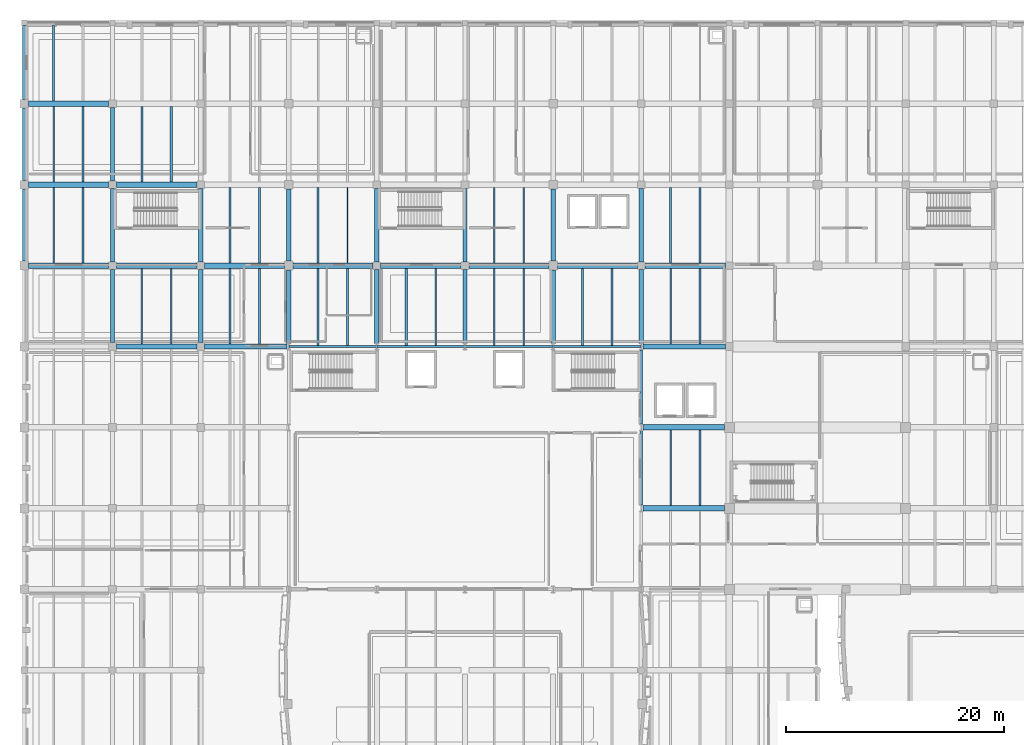
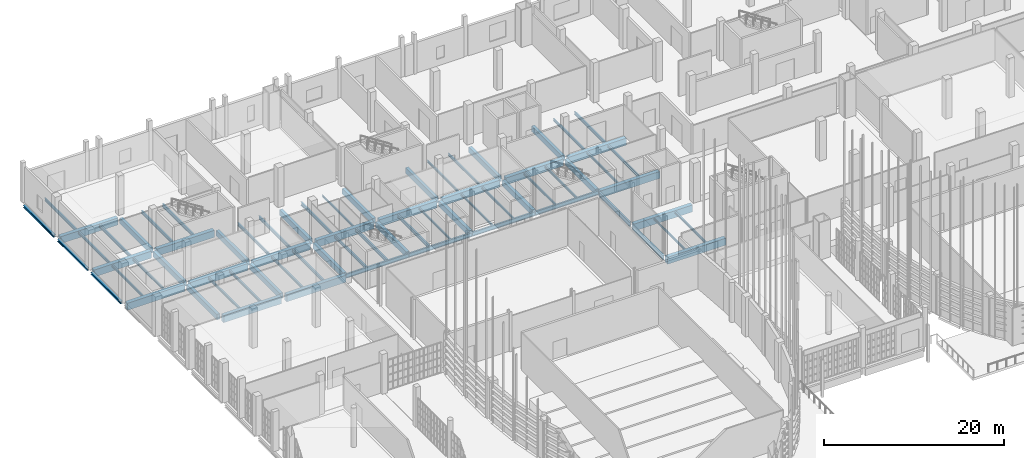
# One storey, part 247 of 372: 71 beams.
"""IFC4 building model written with IfcOpenShell, lengths in metres."""

from ifc_helpers import new_model, si_unit, direction, frame, origin, origin_2d, place, context, subcontext, project, spatial, rectangle, i_section, extrude, material, material_profile, profile_set, type_object, element, save


model = new_model("IFC4")

# Units and contexts
model_context = context("Model", 3, precision=1e-05, world=origin(), true_north=direction((0.0, 1.0)))
body_context = subcontext(model_context, "Body", "Model", "MODEL_VIEW")
ifc_project = project(units=[si_unit("LENGTHUNIT", "METRE"), si_unit("AREAUNIT", "SQUARE_METRE"), si_unit("VOLUMEUNIT", "CUBIC_METRE"), si_unit("PLANEANGLEUNIT", "RADIAN"), si_unit("MASSUNIT", "GRAM", prefix="KILO")], contexts=[model_context])

# Site, building, storey
site_placement = place(None, origin())
site = spatial("IfcSite", under=ifc_project, at=site_placement, CompositionType="ELEMENT")
building_placement = place(site_placement, origin())
building = spatial("IfcBuilding", under=site, at=building_placement, Name="Kaelora Sail Theatre", CompositionType="ELEMENT")
storey_placement = place(building_placement, origin())
storey = spatial("IfcBuildingStorey", under=building, at=storey_placement, Name="L00", CompositionType="ELEMENT", Elevation=0.0)

# Beams
ifc_material_1 = material(Name="Steel S355", Category="steel")
ifc_material_profile_1 = material_profile(ifc_material_1, i_section(OverallWidth=0.18994140625, OverallDepth=0.449951171875, WebThickness=0.009521484375, FlangeThickness=0.0146484375, FilletRadius=0.02099609375, at=origin_2d()), Name="IPE 450")
ifc_profile_set_1 = profile_set([ifc_material_profile_1], Name="Steel S355")
beam_type_1 = type_object("IfcBeamType", Name="STR-BM-BM-IPE450", PredefinedType="BEAM", material=ifc_profile_set_1)
for number, where, z_axis, x_axis, name in (
    (1, (15.0, 98.469970703125, -0.544921875), (0.0, 1.0, 0.0), (-1.0, 0.0, 0.0), "Secondary floor joist 2/N-2 (L00)"),
    (2, (23.10009765625, 91.030029296875, -0.544921875), (0.0, 1.0, 0.0), (-1.0, 0.0, 0.0), "Secondary floor joist 3/M-2 (L00)"),
):
    element("IfcBeam", number, at=place(storey_placement, frame(where, z_axis=z_axis, x_axis=x_axis)), inside=storey, type_object=beam_type_1, Name=name, PredefinedType="BEAM", context=body_context, shape_type="SweptSolid", body=[
        extrude(i_section(OverallWidth=0.18994140625, OverallDepth=0.449951171875, WebThickness=0.009521484375, FlangeThickness=0.0146484375, FilletRadius=0.02099609375, at=origin_2d()), origin(), (0.0, 0.0, 1.0), 6.93994140625),
    ])
beam_1_placement = place(storey_placement, frame((31.199951171875, 83.445068359375, -0.544921875), z_axis=(0.0, 1.0, 0.0), x_axis=(-1.0, 0.0, 0.0)))
element("IfcBeam", 3, at=beam_1_placement, inside=storey, type_object=beam_type_1, Name="Secondary floor joist 4/L-2 (L00)", PredefinedType="BEAM", context=body_context, shape_type="SweptSolid", body=[
    extrude(i_section(OverallWidth=0.18994140625, OverallDepth=0.449951171875, WebThickness=0.009521484375, FlangeThickness=0.0146484375, FilletRadius=0.02099609375, at=origin_2d()), origin(), (0.0, 0.0, 1.0), 7.0849609375),
])
beam_2_placement = place(storey_placement, frame((28.5, 91.030029296875, -0.544921875), z_axis=(0.0, 1.0, 0.0), x_axis=(-1.0, 0.0, 0.0)))
element("IfcBeam", 4, at=beam_2_placement, inside=storey, type_object=beam_type_1, Name="Secondary floor joist 4/M-1 (L00)", PredefinedType="BEAM", context=body_context, shape_type="SweptSolid", body=[
    extrude(i_section(OverallWidth=0.18994140625, OverallDepth=0.449951171875, WebThickness=0.009521484375, FlangeThickness=0.0146484375, FilletRadius=0.02099609375, at=origin_2d()), origin(), (0.0, 0.0, 1.0), 6.93994140625),
])
beam_3_placement = place(storey_placement, frame((36.60009765625, 83.445068359375, -0.544921875), z_axis=(0.0, 1.0, 0.0), x_axis=(-1.0, 0.0, 0.0)))
element("IfcBeam", 5, at=beam_3_placement, inside=storey, type_object=beam_type_1, Name="Secondary floor joist 5/L-1 (L00)", PredefinedType="BEAM", context=body_context, shape_type="SweptSolid", body=[
    extrude(i_section(OverallWidth=0.18994140625, OverallDepth=0.449951171875, WebThickness=0.009521484375, FlangeThickness=0.0146484375, FilletRadius=0.02099609375, at=origin_2d()), origin(), (0.0, 0.0, 1.0), 7.0849609375),
])
ifc_material_2 = material(Name="Steel S355", Category="steel")
ifc_material_profile_2 = material_profile(ifc_material_2, i_section(OverallWidth=0.2099609375, OverallDepth=0.550048828125, WebThickness=0.010986328125, FlangeThickness=0.01708984375, FilletRadius=0.02392578125, at=origin_2d()), Name="IPE 550")
ifc_profile_set_2 = profile_set([ifc_material_profile_2], Name="Steel S355")
beam_type_2 = type_object("IfcBeamType", Name="STR-BM-BM-IPE550", PredefinedType="USERDEFINED", material=ifc_profile_set_2)
for number, where, z_axis, x_axis, name in (
    (6, (25.80908203125, 83.340087890625, -0.594970703125), (1.0, 0.0, 0.0), (0.0, 1.0, 0.0), "Primary beam L 4-5 (L00)"),
    (7, (33.908935546875, 83.340087890625, -0.594970703125), (1.0, 0.0, 0.0), (0.0, 1.0, 0.0), "Primary beam L 5-6 (L00)"),
    (8, (42.009033203125, 83.340087890625, -0.594970703125), (1.0, 0.0, 0.0), (0.0, 1.0, 0.0), "Primary beam L 6-7 (L00)"),
    (9, (50.10888671875, 83.340087890625, -0.594970703125), (1.0, 0.0, 0.0), (0.0, 1.0, 0.0), "Primary beam L 7-8 (L00)"),
):
    element("IfcBeam", number, at=place(storey_placement, frame(where, z_axis=z_axis, x_axis=x_axis)), inside=storey, type_object=beam_type_2, Name=name, ObjectType="GIRDER", PredefinedType="USERDEFINED", context=body_context, shape_type="SweptSolid", body=[
        extrude(i_section(OverallWidth=0.2099609375, OverallDepth=0.550048828125, WebThickness=0.010986328125, FlangeThickness=0.01708984375, FilletRadius=0.02392578125, at=origin_2d()), origin(), (0.0, 0.0, 1.0), 8.08203125),
    ])
ifc_material_3 = material(Name="Steel S355", Category="steel")
ifc_material_profile_3 = material_profile(ifc_material_3, i_section(OverallWidth=0.219970703125, OverallDepth=0.60009765625, WebThickness=0.011962890625, FlangeThickness=0.01904296875, FilletRadius=0.02392578125, at=origin_2d()), Name="IPE 600")
ifc_profile_set_3 = profile_set([ifc_material_profile_3], Name="Steel S355")
beam_type_3 = type_object("IfcBeamType", Name="STR-BM-BM-IPE600", PredefinedType="USERDEFINED", material=ifc_profile_set_3)
for number, where, z_axis, x_axis, name in (
    (10, (58.199951171875, 68.760009765625, -0.6201171875), (0.0, 1.0, 0.0), (-1.0, 0.0, 0.0), "Primary beam 8 J-K (L00)"),
    (11, (58.199951171875, 76.199951171875, -0.6201171875), (0.0, 1.0, 0.0), (-1.0, 0.0, 0.0), "Primary beam 8 K-L (L00)"),
):
    element("IfcBeam", number, at=place(storey_placement, frame(where, z_axis=z_axis, x_axis=x_axis)), inside=storey, type_object=beam_type_3, Name=name, ObjectType="GIRDER", PredefinedType="USERDEFINED", context=body_context, shape_type="SweptSolid", body=[
        extrude(i_section(OverallWidth=0.219970703125, OverallDepth=0.60009765625, WebThickness=0.011962890625, FlangeThickness=0.01904296875, FilletRadius=0.02392578125, at=origin_2d()), origin(), (0.0, 0.0, 1.0), 6.840087890625),
    ])
ifc_material_4 = material(Name="Concrete C40/50", Category="concrete")
ifc_material_profile_4 = material_profile(ifc_material_4, rectangle(XDim=0.39990234375, YDim=0.75, at=origin_2d()), Name="RC-BM 400x750")
ifc_profile_set_4 = profile_set([ifc_material_profile_4], Name="Concrete C40/50")
beam_type_4 = type_object("IfcBeamType", Name="STR-BM-BM-RC4075", PredefinedType="BEAM", material=ifc_profile_set_4)
beam_4_placement = place(storey_placement, frame((9.60009765625, 83.68994140625, -0.695068359375), z_axis=(0.0, 1.0, 0.0), x_axis=(-1.0, 0.0, 0.0)))
element("IfcBeam", 12, at=beam_4_placement, inside=storey, type_object=beam_type_4, Name="Primary beam 2 L-M (L00)", PredefinedType="BEAM", context=body_context, shape_type="SweptSolid", body=[
    extrude(rectangle(XDim=0.39990234375, YDim=0.75, at=origin_2d()), origin(), (0.0, 0.0, 1.0), 6.739990234375),
])
beam_5_placement = place(storey_placement, frame((9.60009765625, 91.1298828125, -0.695068359375), z_axis=(0.0, 1.0, 0.0), x_axis=(-1.0, 0.0, 0.0)))
element("IfcBeam", 13, at=beam_5_placement, inside=storey, type_object=beam_type_4, Name="Primary beam 2 M-N (L00)", PredefinedType="BEAM", context=body_context, shape_type="SweptSolid", body=[
    extrude(rectangle(XDim=0.39990234375, YDim=0.75, at=origin_2d()), origin(), (0.0, 0.0, 1.0), 6.740234375),
])
for number, where, z_axis, x_axis, name in (
    (14, (9.60009765625, 98.570068359375, -0.695068359375), (0.0, 1.0, 0.0), (-1.0, 0.0, 0.0), "Primary beam 2 N-O (L00)"),
    (15, (17.699951171875, 83.68994140625, -0.695068359375), (0.0, 1.0, 0.0), (-1.0, 0.0, 0.0), "Primary beam 3 L-M (L00)"),
):
    element("IfcBeam", number, at=place(storey_placement, frame(where, z_axis=z_axis, x_axis=x_axis)), inside=storey, type_object=beam_type_4, Name=name, PredefinedType="BEAM", context=body_context, shape_type="SweptSolid", body=[
        extrude(rectangle(XDim=0.39990234375, YDim=0.75, at=origin_2d()), origin(), (0.0, 0.0, 1.0), 6.739990234375),
    ])
beam_6_placement = place(storey_placement, frame((17.699951171875, 91.1298828125, -0.695068359375), z_axis=(0.0, 1.0, 0.0), x_axis=(-1.0, 0.0, 0.0)))
element("IfcBeam", 16, at=beam_6_placement, inside=storey, type_object=beam_type_4, Name="Primary beam 3 M-N (L00)", PredefinedType="BEAM", context=body_context, shape_type="SweptSolid", body=[
    extrude(rectangle(XDim=0.39990234375, YDim=0.75, at=origin_2d()), origin(), (0.0, 0.0, 1.0), 6.740234375),
])
beam_7_placement = place(storey_placement, frame((25.800048828125, 83.639892578125, -0.695068359375), z_axis=(0.0, 1.0, 0.0), x_axis=(-1.0, 0.0, 0.0)))
element("IfcBeam", 17, at=beam_7_placement, inside=storey, type_object=beam_type_4, Name="Primary beam 4 L-M (L00)", PredefinedType="BEAM", context=body_context, shape_type="SweptSolid", body=[
    extrude(rectangle(XDim=0.39990234375, YDim=0.75, at=origin_2d()), origin(), (0.0, 0.0, 1.0), 6.739990234375),
])
beam_8_placement = place(storey_placement, frame((25.800048828125, 91.179931640625, -0.695068359375), z_axis=(0.0, 1.0, 0.0), x_axis=(-1.0, 0.0, 0.0)))
element("IfcBeam", 18, at=beam_8_placement, inside=storey, type_object=beam_type_4, Name="Primary beam 4 M-N (L00)", PredefinedType="BEAM", context=body_context, shape_type="SweptSolid", body=[
    extrude(rectangle(XDim=0.39990234375, YDim=0.75, at=origin_2d()), origin(), (0.0, 0.0, 1.0), 6.64013671875),
])
beam_9_placement = place(storey_placement, frame((33.89990234375, 83.639892578125, -0.695068359375), z_axis=(0.0, 1.0, 0.0), x_axis=(-1.0, 0.0, 0.0)))
element("IfcBeam", 19, at=beam_9_placement, inside=storey, type_object=beam_type_4, Name="Primary beam 5 L-M (L00)", PredefinedType="BEAM", context=body_context, shape_type="SweptSolid", body=[
    extrude(rectangle(XDim=0.39990234375, YDim=0.75, at=origin_2d()), origin(), (0.0, 0.0, 1.0), 6.7900390625),
])
beam_10_placement = place(storey_placement, frame((33.89990234375, 91.1298828125, -0.695068359375), z_axis=(0.0, 1.0, 0.0), x_axis=(-1.0, 0.0, 0.0)))
element("IfcBeam", 20, at=beam_10_placement, inside=storey, type_object=beam_type_4, Name="Primary beam 5 M-N (L00)", PredefinedType="BEAM", context=body_context, shape_type="SweptSolid", body=[
    extrude(rectangle(XDim=0.39990234375, YDim=0.75, at=origin_2d()), origin(), (0.0, 0.0, 1.0), 6.740234375),
])
beam_11_placement = place(storey_placement, frame((42.0, 83.639892578125, -0.695068359375), z_axis=(0.0, 1.0, 0.0), x_axis=(-1.0, 0.0, 0.0)))
element("IfcBeam", 21, at=beam_11_placement, inside=storey, type_object=beam_type_4, Name="Primary beam 6 L-M (L00)", PredefinedType="BEAM", context=body_context, shape_type="SweptSolid", body=[
    extrude(rectangle(XDim=0.39990234375, YDim=0.75, at=origin_2d()), origin(), (0.0, 0.0, 1.0), 6.7900390625),
])
beam_12_placement = place(storey_placement, frame((42.0, 91.1298828125, -0.695068359375), z_axis=(0.0, 1.0, 0.0), x_axis=(-1.0, 0.0, 0.0)))
element("IfcBeam", 22, at=beam_12_placement, inside=storey, type_object=beam_type_4, Name="Primary beam 6 M-N (L00)", PredefinedType="BEAM", context=body_context, shape_type="SweptSolid", body=[
    extrude(rectangle(XDim=0.39990234375, YDim=0.75, at=origin_2d()), origin(), (0.0, 0.0, 1.0), 6.740234375),
])
beam_13_placement = place(storey_placement, frame((50.10009765625, 83.639892578125, -0.695068359375), z_axis=(0.0, 1.0, 0.0), x_axis=(-1.0, 0.0, 0.0)))
element("IfcBeam", 23, at=beam_13_placement, inside=storey, type_object=beam_type_4, Name="Primary beam 7 L-M (L00)", PredefinedType="BEAM", context=body_context, shape_type="SweptSolid", body=[
    extrude(rectangle(XDim=0.39990234375, YDim=0.75, at=origin_2d()), origin(), (0.0, 0.0, 1.0), 6.739990234375),
])
beam_14_placement = place(storey_placement, frame((50.10009765625, 91.179931640625, -0.695068359375), z_axis=(0.0, 1.0, 0.0), x_axis=(-1.0, 0.0, 0.0)))
element("IfcBeam", 24, at=beam_14_placement, inside=storey, type_object=beam_type_4, Name="Primary beam 7 M-N (L00)", PredefinedType="BEAM", context=body_context, shape_type="SweptSolid", body=[
    extrude(rectangle(XDim=0.39990234375, YDim=0.75, at=origin_2d()), origin(), (0.0, 0.0, 1.0), 6.64013671875),
])
beam_15_placement = place(storey_placement, frame((58.199951171875, 83.639892578125, -0.695068359375), z_axis=(0.0, 1.0, 0.0), x_axis=(-1.0, 0.0, 0.0)))
element("IfcBeam", 25, at=beam_15_placement, inside=storey, type_object=beam_type_4, Name="Primary beam 8 L-M (L00)", PredefinedType="BEAM", context=body_context, shape_type="SweptSolid", body=[
    extrude(rectangle(XDim=0.39990234375, YDim=0.75, at=origin_2d()), origin(), (0.0, 0.0, 1.0), 6.7900390625),
])
beam_16_placement = place(storey_placement, frame((58.199951171875, 91.1298828125, -0.695068359375), z_axis=(0.0, 1.0, 0.0), x_axis=(-1.0, 0.0, 0.0)))
element("IfcBeam", 26, at=beam_16_placement, inside=storey, type_object=beam_type_4, Name="Primary beam 8 M-N (L00)", PredefinedType="BEAM", context=body_context, shape_type="SweptSolid", body=[
    extrude(rectangle(XDim=0.39990234375, YDim=0.75, at=origin_2d()), origin(), (0.0, 0.0, 1.0), 6.740234375),
])
ifc_material_5 = material(Name="Concrete C45/55", Category="concrete")
ifc_material_profile_5 = material_profile(ifc_material_5, rectangle(XDim=0.5, YDim=0.949951171875, at=origin_2d()), Name="RC-GRD 500x950")
ifc_profile_set_5 = profile_set([ifc_material_profile_5], Name="Concrete C45/55")
beam_type_5 = type_object("IfcBeamType", Name="STR-BM-GR-RC5095", PredefinedType="T_BEAM", material=ifc_profile_set_5)
for number, where, z_axis, x_axis, name in (
    (27, (1.89990234375, 90.780029296875, -0.794921875), (1.0, 0.0, 0.0), (0.0, 1.0, 0.0), "Primary beam M 1-2 (L00)"),
    (28, (1.89990234375, 98.219970703125, -0.794921875), (1.0, 0.0, 0.0), (0.0, 1.0, 0.0), "Primary beam N 1-2 (L00)"),
    (29, (1.89990234375, 105.659912109375, -0.794921875), (1.0, 0.0, 0.0), (0.0, 1.0, 0.0), "Primary beam O 1-2 (L00)"),
):
    element("IfcBeam", number, at=place(storey_placement, frame(where, z_axis=z_axis, x_axis=x_axis)), inside=storey, type_object=beam_type_5, Name=name, PredefinedType="T_BEAM", context=body_context, shape_type="SweptSolid", body=[
        extrude(rectangle(XDim=0.5, YDim=0.949951171875, at=origin_2d()), origin(), (0.0, 0.0, 1.0), 7.35009765625),
    ])
for number, where, z_axis, x_axis, name in (
    (30, (9.949951171875, 83.340087890625, -0.794921875), (1.0, 0.0, 0.0), (0.0, 1.0, 0.0), "Primary beam L 2-3 (L00)"),
    (31, (9.949951171875, 90.780029296875, -0.794921875), (1.0, 0.0, 0.0), (0.0, 1.0, 0.0), "Primary beam M 2-3 (L00)"),
    (32, (9.949951171875, 98.219970703125, -0.794921875), (1.0, 0.0, 0.0), (0.0, 1.0, 0.0), "Primary beam N 2-3 (L00)"),
):
    element("IfcBeam", number, at=place(storey_placement, frame(where, z_axis=z_axis, x_axis=x_axis)), inside=storey, type_object=beam_type_5, Name=name, PredefinedType="T_BEAM", context=body_context, shape_type="SweptSolid", body=[
        extrude(rectangle(XDim=0.5, YDim=0.949951171875, at=origin_2d()), origin(), (0.0, 0.0, 1.0), 7.400146484375),
    ])
beam_17_placement = place(storey_placement, frame((18.050048828125, 83.340087890625, -0.794921875), z_axis=(1.0, 0.0, 0.0), x_axis=(0.0, 1.0, 0.0)))
element("IfcBeam", 33, at=beam_17_placement, inside=storey, type_object=beam_type_5, Name="Primary beam L 3-4 (L00)", PredefinedType="T_BEAM", context=body_context, shape_type="SweptSolid", body=[
    extrude(rectangle(XDim=0.5, YDim=0.949951171875, at=origin_2d()), origin(), (0.0, 0.0, 1.0), 7.599853515625),
])
beam_18_placement = place(storey_placement, frame((18.050048828125, 90.780029296875, -0.794921875), z_axis=(1.0, 0.0, 0.0), x_axis=(0.0, 1.0, 0.0)))
element("IfcBeam", 34, at=beam_18_placement, inside=storey, type_object=beam_type_5, Name="Primary beam M 3-4 (L00)", PredefinedType="T_BEAM", context=body_context, shape_type="SweptSolid", body=[
    extrude(rectangle(XDim=0.5, YDim=0.949951171875, at=origin_2d()), origin(), (0.0, 0.0, 1.0), 7.349853515625),
])
beam_19_placement = place(storey_placement, frame((26.199951171875, 90.780029296875, -0.794921875), z_axis=(1.0, 0.0, 0.0), x_axis=(0.0, 1.0, 0.0)))
element("IfcBeam", 35, at=beam_19_placement, inside=storey, type_object=beam_type_5, Name="Primary beam M 4-5 (L00)", PredefinedType="T_BEAM", context=body_context, shape_type="SweptSolid", body=[
    extrude(rectangle(XDim=0.5, YDim=0.949951171875, at=origin_2d()), origin(), (0.0, 0.0, 1.0), 7.35009765625),
])
beam_20_placement = place(storey_placement, frame((34.25, 90.780029296875, -0.794921875), z_axis=(1.0, 0.0, 0.0), x_axis=(0.0, 1.0, 0.0)))
element("IfcBeam", 36, at=beam_20_placement, inside=storey, type_object=beam_type_5, Name="Primary beam M 5-6 (L00)", PredefinedType="T_BEAM", context=body_context, shape_type="SweptSolid", body=[
    extrude(rectangle(XDim=0.5, YDim=0.949951171875, at=origin_2d()), origin(), (0.0, 0.0, 1.0), 7.39990234375),
])
beam_21_placement = place(storey_placement, frame((42.35009765625, 90.780029296875, -0.794921875), z_axis=(1.0, 0.0, 0.0), x_axis=(0.0, 1.0, 0.0)))
element("IfcBeam", 37, at=beam_21_placement, inside=storey, type_object=beam_type_5, Name="Primary beam M 6-7 (L00)", PredefinedType="T_BEAM", context=body_context, shape_type="SweptSolid", body=[
    extrude(rectangle(XDim=0.5, YDim=0.949951171875, at=origin_2d()), origin(), (0.0, 0.0, 1.0), 7.349853515625),
])
beam_22_placement = place(storey_placement, frame((50.5, 90.780029296875, -0.794921875), z_axis=(1.0, 0.0, 0.0), x_axis=(0.0, 1.0, 0.0)))
element("IfcBeam", 38, at=beam_22_placement, inside=storey, type_object=beam_type_5, Name="Primary beam M 7-8 (L00)", PredefinedType="T_BEAM", context=body_context, shape_type="SweptSolid", body=[
    extrude(rectangle(XDim=0.5, YDim=0.949951171875, at=origin_2d()), origin(), (0.0, 0.0, 1.0), 7.35009765625),
])
for number, where, z_axis, x_axis, name in (
    (39, (58.35009765625, 68.4599609375, -0.794921875), (1.0, 0.0, 0.0), (0.0, 1.0, 0.0), "Primary beam J 8-9 (L00)"),
    (40, (58.35009765625, 75.89990234375, -0.794921875), (1.0, 0.0, 0.0), (0.0, 1.0, 0.0), "Primary beam K 8-9 (L00)"),
):
    element("IfcBeam", number, at=place(storey_placement, frame(where, z_axis=z_axis, x_axis=x_axis)), inside=storey, type_object=beam_type_5, Name=name, PredefinedType="T_BEAM", context=body_context, shape_type="SweptSolid", body=[
        extrude(rectangle(XDim=0.5, YDim=0.949951171875, at=origin_2d()), origin(), (0.0, 0.0, 1.0), 7.5),
    ])
beam_23_placement = place(storey_placement, frame((58.35009765625, 83.340087890625, -0.794921875), z_axis=(1.0, 0.0, 0.0), x_axis=(0.0, 1.0, 0.0)))
element("IfcBeam", 41, at=beam_23_placement, inside=storey, type_object=beam_type_5, Name="Primary beam L 8-9 (L00)", PredefinedType="T_BEAM", context=body_context, shape_type="SweptSolid", body=[
    extrude(rectangle(XDim=0.5, YDim=0.949951171875, at=origin_2d()), origin(), (0.0, 0.0, 1.0), 7.599853515625),
])
beam_24_placement = place(storey_placement, frame((58.550048828125, 90.780029296875, -0.794921875), z_axis=(1.0, 0.0, 0.0), x_axis=(0.0, 1.0, 0.0)))
element("IfcBeam", 42, at=beam_24_placement, inside=storey, type_object=beam_type_5, Name="Primary beam M 8-9 (L00)", PredefinedType="T_BEAM", context=body_context, shape_type="SweptSolid", body=[
    extrude(rectangle(XDim=0.5, YDim=0.949951171875, at=origin_2d()), origin(), (0.0, 0.0, 1.0), 7.39990234375),
])
ifc_material_6 = material(Name="Steel S355", Category="steel")
ifc_material_profile_6 = material_profile(ifc_material_6, i_section(OverallWidth=0.135009765625, OverallDepth=0.27001953125, WebThickness=0.006591796875, FlangeThickness=0.01025390625, FilletRadius=0.014892578125, at=origin_2d()), Name="IPE 270")
ifc_profile_set_6 = profile_set([ifc_material_profile_6], Name="Steel S355")
beam_type_6 = type_object("IfcBeamType", Name="STR-BM-JS-IPE270", PredefinedType="JOIST", material=ifc_profile_set_6)
beam_25_placement = place(storey_placement, frame((31.199951171875, 91.030029296875, -0.455078125), z_axis=(0.0, 1.0, 0.0), x_axis=(-1.0, 0.0, 0.0)))
element("IfcBeam", 43, at=beam_25_placement, inside=storey, type_object=beam_type_6, Name="Secondary floor joist 4/M-2 (L00)", PredefinedType="JOIST", context=body_context, shape_type="SweptSolid", body=[
    extrude(i_section(OverallWidth=0.135009765625, OverallDepth=0.27001953125, WebThickness=0.006591796875, FlangeThickness=0.01025390625, FilletRadius=0.014892578125, at=origin_2d()), origin(), (0.0, 0.0, 1.0), 6.93994140625),
])
for number, where, z_axis, x_axis, name in (
    (44, (39.300048828125, 83.445068359375, -0.455078125), (0.0, 1.0, 0.0), (-1.0, 0.0, 0.0), "Secondary floor joist 5/L-2 (L00)"),
    (45, (44.699951171875, 83.445068359375, -0.455078125), (0.0, 1.0, 0.0), (-1.0, 0.0, 0.0), "Secondary floor joist 6/L-1 (L00)"),
):
    element("IfcBeam", number, at=place(storey_placement, frame(where, z_axis=z_axis, x_axis=x_axis)), inside=storey, type_object=beam_type_6, Name=name, PredefinedType="JOIST", context=body_context, shape_type="SweptSolid", body=[
        extrude(i_section(OverallWidth=0.135009765625, OverallDepth=0.27001953125, WebThickness=0.006591796875, FlangeThickness=0.01025390625, FilletRadius=0.014892578125, at=origin_2d()), origin(), (0.0, 0.0, 1.0), 7.0849609375),
    ])
beam_26_placement = place(storey_placement, frame((60.89990234375, 68.7099609375, -0.455078125), z_axis=(0.0, 1.0, 0.0), x_axis=(-1.0, 0.0, 0.0)))
element("IfcBeam", 46, at=beam_26_placement, inside=storey, type_object=beam_type_6, Name="Secondary floor joist 8/J-1 (L00)", PredefinedType="JOIST", context=body_context, shape_type="SweptSolid", body=[
    extrude(i_section(OverallWidth=0.135009765625, OverallDepth=0.27001953125, WebThickness=0.006591796875, FlangeThickness=0.01025390625, FilletRadius=0.014892578125, at=origin_2d()), origin(), (0.0, 0.0, 1.0), 6.93994140625),
])
ifc_material_7 = material(Name="Steel S355", Category="steel")
ifc_material_profile_7 = material_profile(ifc_material_7, i_section(OverallWidth=0.14990234375, OverallDepth=0.300048828125, WebThickness=0.007080078125, FlangeThickness=0.0107421875, FilletRadius=0.014892578125, at=origin_2d()), Name="IPE 300")
ifc_profile_set_7 = profile_set([ifc_material_profile_7], Name="Steel S355")
beam_type_7 = type_object("IfcBeamType", Name="STR-BM-JS-IPE300", PredefinedType="JOIST", material=ifc_profile_set_7)
beam_27_placement = place(storey_placement, frame((47.39990234375, 83.445068359375, -0.469970703125), z_axis=(0.0, 1.0, 0.0), x_axis=(-1.0, 0.0, 0.0)))
element("IfcBeam", 47, at=beam_27_placement, inside=storey, type_object=beam_type_7, Name="Secondary floor joist 6/L-2 (L00)", PredefinedType="JOIST", context=body_context, shape_type="SweptSolid", body=[
    extrude(i_section(OverallWidth=0.14990234375, OverallDepth=0.300048828125, WebThickness=0.007080078125, FlangeThickness=0.0107421875, FilletRadius=0.014892578125, at=origin_2d()), origin(), (0.0, 0.0, 1.0), 7.0849609375),
])
beam_28_placement = place(storey_placement, frame((44.699951171875, 91.030029296875, -0.469970703125), z_axis=(0.0, 1.0, 0.0), x_axis=(-1.0, 0.0, 0.0)))
element("IfcBeam", 48, at=beam_28_placement, inside=storey, type_object=beam_type_7, Name="Secondary floor joist 6/M-1 (L00)", PredefinedType="JOIST", context=body_context, shape_type="SweptSolid", body=[
    extrude(i_section(OverallWidth=0.14990234375, OverallDepth=0.300048828125, WebThickness=0.007080078125, FlangeThickness=0.0107421875, FilletRadius=0.014892578125, at=origin_2d()), origin(), (0.0, 0.0, 1.0), 6.93994140625),
])
beam_29_placement = place(storey_placement, frame((52.800048828125, 83.445068359375, -0.469970703125), z_axis=(0.0, 1.0, 0.0), x_axis=(-1.0, 0.0, 0.0)))
element("IfcBeam", 49, at=beam_29_placement, inside=storey, type_object=beam_type_7, Name="Secondary floor joist 7/L-1 (L00)", PredefinedType="JOIST", context=body_context, shape_type="SweptSolid", body=[
    extrude(i_section(OverallWidth=0.14990234375, OverallDepth=0.300048828125, WebThickness=0.007080078125, FlangeThickness=0.0107421875, FilletRadius=0.014892578125, at=origin_2d()), origin(), (0.0, 0.0, 1.0), 7.0849609375),
])
beam_30_placement = place(storey_placement, frame((63.60009765625, 68.7099609375, -0.469970703125), z_axis=(0.0, 1.0, 0.0), x_axis=(-1.0, 0.0, 0.0)))
element("IfcBeam", 50, at=beam_30_placement, inside=storey, type_object=beam_type_7, Name="Secondary floor joist 8/J-2 (L00)", PredefinedType="JOIST", context=body_context, shape_type="SweptSolid", body=[
    extrude(i_section(OverallWidth=0.14990234375, OverallDepth=0.300048828125, WebThickness=0.007080078125, FlangeThickness=0.0107421875, FilletRadius=0.014892578125, at=origin_2d()), origin(), (0.0, 0.0, 1.0), 6.93994140625),
])
ifc_material_8 = material(Name="Steel S355", Category="steel")
ifc_material_profile_8 = material_profile(ifc_material_8, i_section(OverallWidth=0.159912109375, OverallDepth=0.330078125, WebThickness=0.007568359375, FlangeThickness=0.011474609375, FilletRadius=0.01806640625, at=origin_2d()), Name="IPE 330")
ifc_profile_set_8 = profile_set([ifc_material_profile_8], Name="Steel S355")
beam_type_8 = type_object("IfcBeamType", Name="STR-BM-JS-IPE330", PredefinedType="JOIST", material=ifc_profile_set_8)
for number, where, z_axis, x_axis, name in (
    (51, (4.199951171875, 91.030029296875, -0.485107421875), (0.0, 1.0, 0.0), (-1.0, 0.0, 0.0), "Secondary floor joist 1/M-1 (L00)"),
    (52, (12.300048828125, 83.590087890625, -0.485107421875), (0.0, 1.0, 0.0), (-1.0, 0.0, 0.0), "Secondary floor joist 2/L-1 (L00)"),
    (53, (47.39990234375, 91.030029296875, -0.485107421875), (0.0, 1.0, 0.0), (-1.0, 0.0, 0.0), "Secondary floor joist 6/M-2 (L00)"),
):
    element("IfcBeam", number, at=place(storey_placement, frame(where, z_axis=z_axis, x_axis=x_axis)), inside=storey, type_object=beam_type_8, Name=name, PredefinedType="JOIST", context=body_context, shape_type="SweptSolid", body=[
        extrude(i_section(OverallWidth=0.159912109375, OverallDepth=0.330078125, WebThickness=0.007568359375, FlangeThickness=0.011474609375, FilletRadius=0.01806640625, at=origin_2d()), origin(), (0.0, 0.0, 1.0), 6.93994140625),
    ])
beam_31_placement = place(storey_placement, frame((55.5, 83.445068359375, -0.485107421875), z_axis=(0.0, 1.0, 0.0), x_axis=(-1.0, 0.0, 0.0)))
element("IfcBeam", 54, at=beam_31_placement, inside=storey, type_object=beam_type_8, Name="Secondary floor joist 7/L-2 (L00)", PredefinedType="JOIST", context=body_context, shape_type="SweptSolid", body=[
    extrude(i_section(OverallWidth=0.159912109375, OverallDepth=0.330078125, WebThickness=0.007568359375, FlangeThickness=0.011474609375, FilletRadius=0.01806640625, at=origin_2d()), origin(), (0.0, 0.0, 1.0), 7.0849609375),
])
beam_32_placement = place(storey_placement, frame((60.89990234375, 83.590087890625, -0.485107421875), z_axis=(0.0, 1.0, 0.0), x_axis=(-1.0, 0.0, 0.0)))
element("IfcBeam", 55, at=beam_32_placement, inside=storey, type_object=beam_type_8, Name="Secondary floor joist 8/L-1 (L00)", PredefinedType="JOIST", context=body_context, shape_type="SweptSolid", body=[
    extrude(i_section(OverallWidth=0.159912109375, OverallDepth=0.330078125, WebThickness=0.007568359375, FlangeThickness=0.011474609375, FilletRadius=0.01806640625, at=origin_2d()), origin(), (0.0, 0.0, 1.0), 6.93994140625),
])
ifc_material_9 = material(Name="Steel S355", Category="steel")
ifc_material_profile_9 = material_profile(ifc_material_9, i_section(OverallWidth=0.169921875, OverallDepth=0.360107421875, WebThickness=0.008056640625, FlangeThickness=0.0126953125, FilletRadius=0.01806640625, at=origin_2d()), Name="IPE 360")
ifc_profile_set_9 = profile_set([ifc_material_profile_9], Name="Steel S355")
beam_type_9 = type_object("IfcBeamType", Name="STR-BM-JS-IPE360", PredefinedType="JOIST", material=ifc_profile_set_9)
for number, where, z_axis, x_axis, name in (
    (56, (6.89990234375, 91.030029296875, -0.5), (0.0, 1.0, 0.0), (-1.0, 0.0, 0.0), "Secondary floor joist 1/M-2 (L00)"),
    (57, (4.199951171875, 98.469970703125, -0.5), (0.0, 1.0, 0.0), (-1.0, 0.0, 0.0), "Secondary floor joist 1/N-1 (L00)"),
    (58, (15.0, 83.590087890625, -0.5), (0.0, 1.0, 0.0), (-1.0, 0.0, 0.0), "Secondary floor joist 2/L-2 (L00)"),
    (59, (20.39990234375, 83.590087890625, -0.5), (0.0, 1.0, 0.0), (-1.0, 0.0, 0.0), "Secondary floor joist 3/L-1 (L00)"),
    (60, (63.60009765625, 83.590087890625, -0.5), (0.0, 1.0, 0.0), (-1.0, 0.0, 0.0), "Secondary floor joist 8/L-2 (L00)"),
    (61, (60.89990234375, 91.030029296875, -0.5), (0.0, 1.0, 0.0), (-1.0, 0.0, 0.0), "Secondary floor joist 8/M-1 (L00)"),
):
    element("IfcBeam", number, at=place(storey_placement, frame(where, z_axis=z_axis, x_axis=x_axis)), inside=storey, type_object=beam_type_9, Name=name, PredefinedType="JOIST", context=body_context, shape_type="SweptSolid", body=[
        extrude(i_section(OverallWidth=0.169921875, OverallDepth=0.360107421875, WebThickness=0.008056640625, FlangeThickness=0.0126953125, FilletRadius=0.01806640625, at=origin_2d()), origin(), (0.0, 0.0, 1.0), 6.93994140625),
    ])
ifc_material_10 = material(Name="Steel S355", Category="steel")
ifc_material_profile_10 = material_profile(ifc_material_10, i_section(OverallWidth=0.179931640625, OverallDepth=0.39990234375, WebThickness=0.008544921875, FlangeThickness=0.013427734375, FilletRadius=0.02099609375, at=origin_2d()), Name="IPE 400")
ifc_profile_set_10 = profile_set([ifc_material_profile_10], Name="Steel S355")
beam_type_10 = type_object("IfcBeamType", Name="STR-BM-JS-IPE400", PredefinedType="JOIST", material=ifc_profile_set_10)
beam_33_placement = place(storey_placement, frame((6.89990234375, 98.469970703125, -0.52001953125), z_axis=(0.0, 1.0, 0.0), x_axis=(-1.0, 0.0, 0.0)))
element("IfcBeam", 62, at=beam_33_placement, inside=storey, type_object=beam_type_10, Name="Secondary floor joist 1/N-2 (L00)", PredefinedType="JOIST", context=body_context, shape_type="SweptSolid", body=[
    extrude(i_section(OverallWidth=0.179931640625, OverallDepth=0.39990234375, WebThickness=0.008544921875, FlangeThickness=0.013427734375, FilletRadius=0.02099609375, at=origin_2d()), origin(), (0.0, 0.0, 1.0), 6.93994140625),
])
beam_34_placement = place(storey_placement, frame((4.199951171875, 105.909912109375, -0.52001953125), z_axis=(0.0, 1.0, 0.0), x_axis=(-1.0, 0.0, 0.0)))
element("IfcBeam", 63, at=beam_34_placement, inside=storey, type_object=beam_type_10, Name="Secondary floor joist 1/O-1 (L00)", PredefinedType="JOIST", context=body_context, shape_type="SweptSolid", body=[
    extrude(i_section(OverallWidth=0.179931640625, OverallDepth=0.39990234375, WebThickness=0.008544921875, FlangeThickness=0.013427734375, FilletRadius=0.02099609375, at=origin_2d()), origin(), (0.0, 0.0, 1.0), 6.965087890625),
])
for number, where, z_axis, x_axis, name in (
    (64, (12.300048828125, 98.469970703125, -0.52001953125), (0.0, 1.0, 0.0), (-1.0, 0.0, 0.0), "Secondary floor joist 2/N-1 (L00)"),
    (65, (23.10009765625, 83.590087890625, -0.52001953125), (0.0, 1.0, 0.0), (-1.0, 0.0, 0.0), "Secondary floor joist 3/L-2 (L00)"),
    (66, (20.39990234375, 91.030029296875, -0.52001953125), (0.0, 1.0, 0.0), (-1.0, 0.0, 0.0), "Secondary floor joist 3/M-1 (L00)"),
):
    element("IfcBeam", number, at=place(storey_placement, frame(where, z_axis=z_axis, x_axis=x_axis)), inside=storey, type_object=beam_type_10, Name=name, PredefinedType="JOIST", context=body_context, shape_type="SweptSolid", body=[
        extrude(i_section(OverallWidth=0.179931640625, OverallDepth=0.39990234375, WebThickness=0.008544921875, FlangeThickness=0.013427734375, FilletRadius=0.02099609375, at=origin_2d()), origin(), (0.0, 0.0, 1.0), 6.93994140625),
    ])
beam_35_placement = place(storey_placement, frame((28.5, 83.445068359375, -0.52001953125), z_axis=(0.0, 1.0, 0.0), x_axis=(-1.0, 0.0, 0.0)))
element("IfcBeam", 67, at=beam_35_placement, inside=storey, type_object=beam_type_10, Name="Secondary floor joist 4/L-1 (L00)", PredefinedType="JOIST", context=body_context, shape_type="SweptSolid", body=[
    extrude(i_section(OverallWidth=0.179931640625, OverallDepth=0.39990234375, WebThickness=0.008544921875, FlangeThickness=0.013427734375, FilletRadius=0.02099609375, at=origin_2d()), origin(), (0.0, 0.0, 1.0), 7.0849609375),
])
beam_36_placement = place(storey_placement, frame((63.60009765625, 91.030029296875, -0.52001953125), z_axis=(0.0, 1.0, 0.0), x_axis=(-1.0, 0.0, 0.0)))
element("IfcBeam", 68, at=beam_36_placement, inside=storey, type_object=beam_type_10, Name="Secondary floor joist 8/M-2 (L00)", PredefinedType="JOIST", context=body_context, shape_type="SweptSolid", body=[
    extrude(i_section(OverallWidth=0.179931640625, OverallDepth=0.39990234375, WebThickness=0.008544921875, FlangeThickness=0.013427734375, FilletRadius=0.02099609375, at=origin_2d()), origin(), (0.0, 0.0, 1.0), 6.93994140625),
])
ifc_material_11 = material(Name="Steel S355", Category="steel")
ifc_material_profile_11 = material_profile(ifc_material_11, i_section(OverallWidth=0.300048828125, OverallDepth=0.300048828125, WebThickness=0.010986328125, FlangeThickness=0.01904296875, FilletRadius=0.027099609375, at=origin_2d()), Name="HEB 300")
ifc_profile_set_11 = profile_set([ifc_material_profile_11], Name="Steel S355")
beam_type_11 = type_object("IfcBeamType", Name="STR-BM-SP-HEB300", PredefinedType="SPANDREL", material=ifc_profile_set_11)
beam_37_placement = place(storey_placement, frame((1.5, 91.179931640625, -0.469970703125), z_axis=(0.0, 1.0, 0.0), x_axis=(-1.0, 0.0, 0.0)))
element("IfcBeam", 69, at=beam_37_placement, inside=storey, type_object=beam_type_11, Name="Primary beam 1 M-N (L00)", PredefinedType="SPANDREL", context=body_context, shape_type="SweptSolid", body=[
    extrude(i_section(OverallWidth=0.300048828125, OverallDepth=0.300048828125, WebThickness=0.010986328125, FlangeThickness=0.01904296875, FilletRadius=0.027099609375, at=origin_2d()), origin(), (0.0, 0.0, 1.0), 6.64013671875),
])
beam_38_placement = place(storey_placement, frame((1.5, 98.6201171875, -0.469970703125), z_axis=(0.0, 1.0, 0.0), x_axis=(-1.0, 0.0, 0.0)))
element("IfcBeam", 70, at=beam_38_placement, inside=storey, type_object=beam_type_11, Name="Primary beam 1 N-O (L00)", PredefinedType="SPANDREL", context=body_context, shape_type="SweptSolid", body=[
    extrude(i_section(OverallWidth=0.300048828125, OverallDepth=0.300048828125, WebThickness=0.010986328125, FlangeThickness=0.01904296875, FilletRadius=0.027099609375, at=origin_2d()), origin(), (0.0, 0.0, 1.0), 6.639892578125),
])
beam_39_placement = place(storey_placement, frame((1.5, 106.06005859375, -0.469970703125), z_axis=(0.0, 1.0, 0.0), x_axis=(-1.0, 0.0, 0.0)))
element("IfcBeam", 71, at=beam_39_placement, inside=storey, type_object=beam_type_11, Name="Primary beam 1 O-P (L00)", PredefinedType="SPANDREL", context=body_context, shape_type="SweptSolid", body=[
    extrude(i_section(OverallWidth=0.300048828125, OverallDepth=0.300048828125, WebThickness=0.010986328125, FlangeThickness=0.01904296875, FilletRadius=0.027099609375, at=origin_2d()), origin(), (0.0, 0.0, 1.0), 6.7900390625),
])

save(model, "model.ifc")
